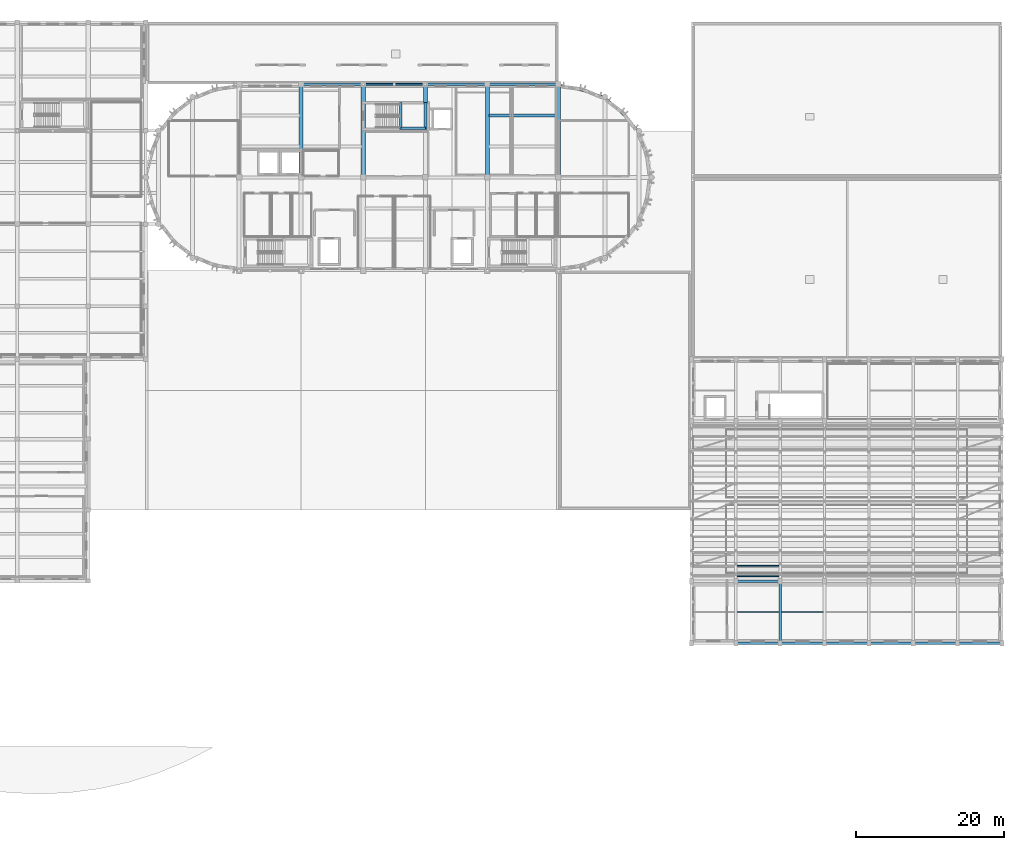
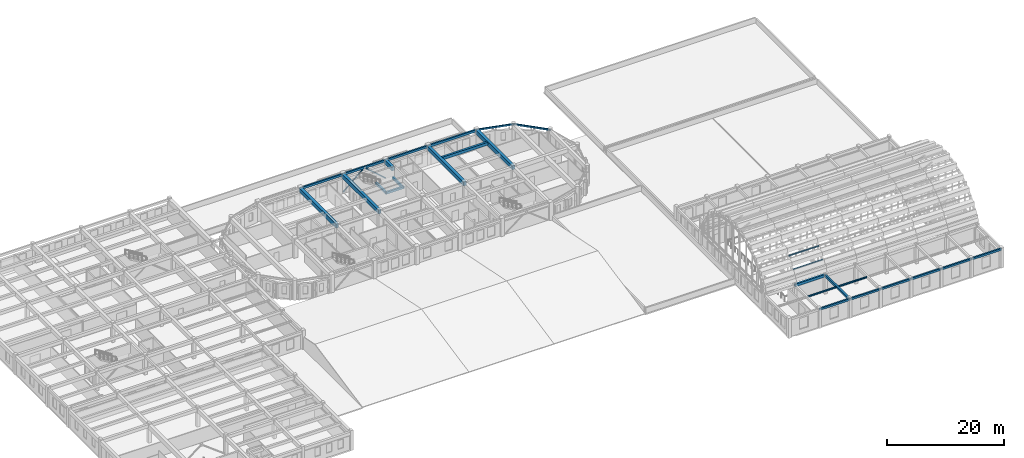
# One storey, part 6 of 46: 25 beams, 4 members.
"""IFC4 building model written with IfcOpenShell, lengths in metres."""

from ifc_helpers import new_model, si_unit, direction, frame, origin, origin_2d, place, context, subcontext, project, spatial, rectangle, hollow_rectangle, i_section, extrude, material, material_profile, profile_set, type_object, element, save


model = new_model("IFC4")

# Units and contexts
model_context = context("Model", 3, precision=1e-05, world=origin(), true_north=direction((0.0, 1.0)))
body_context = subcontext(model_context, "Body", "Model", "MODEL_VIEW")
ifc_project = project(units=[si_unit("LENGTHUNIT", "METRE"), si_unit("AREAUNIT", "SQUARE_METRE"), si_unit("VOLUMEUNIT", "CUBIC_METRE"), si_unit("PLANEANGLEUNIT", "RADIAN"), si_unit("MASSUNIT", "GRAM", prefix="KILO")], contexts=[model_context])

# Site, building, storey
site_placement = place(None, origin())
site = spatial("IfcSite", under=ifc_project, at=site_placement, CompositionType="ELEMENT")
building_placement = place(site_placement, origin())
building = spatial("IfcBuilding", under=site, at=building_placement, Name="Tarnavel Promenade Courthouse", CompositionType="ELEMENT")
storey_placement = place(building_placement, frame((0.0, 0.0, 14.39990234375)))
storey = spatial("IfcBuildingStorey", under=building, at=storey_placement, Name="L04", CompositionType="ELEMENT", Elevation=14.39990234375)

# Beams
ifc_material_1 = material(Name="Concrete C40/50", Category="concrete")
ifc_material_profile_1 = material_profile(ifc_material_1, rectangle(XDim=0.39990234375, YDim=0.60009765625, at=origin_2d()), Name="PT 400x600")
ifc_profile_set_1 = profile_set([ifc_material_profile_1], Name="Concrete C40/50")
beam_type_1 = type_object("IfcBeamType", Name="Concrete C40/50 BM-PT-400x600 (PT 400x600)", PredefinedType="JOIST", material=ifc_profile_set_1)
beam_1_placement = place(storey_placement, frame((92.64501953125, 100.199951171875, 3.655029296875), z_axis=(1.0, 0.0, 0.0), x_axis=(0.0, 1.0, 0.0)))
element("IfcBeam", 1, at=beam_1_placement, inside=storey, type_object=beam_type_1, Name="L04 Secondary Floor Rib 2193", PredefinedType="JOIST", context=body_context, shape_type="SweptSolid", body=[
    extrude(rectangle(XDim=0.39990234375, YDim=0.60009765625, at=origin_2d()), origin(), (0.0, 0.0, 1.0), 9.10986328125),
])
ifc_material_profile_2 = material_profile(ifc_material_1, rectangle(XDim=0.550048828125, YDim=0.85009765625, at=origin_2d()), Name="PT 550x850")
ifc_profile_set_2 = profile_set([ifc_material_profile_2], Name="Concrete C40/50")
beam_type_2 = type_object("IfcBeamType", Name="Concrete C40/50 BM-PT-550x850 (PT 550x850)", PredefinedType="T_BEAM", material=ifc_profile_set_2)
for number, where, z_axis, x_axis, name in (
    (2, (67.199951171875, 91.800048828125, 3.530029296875), (0.0, 1.0, 0.0), (-1.0, 0.0, 0.0), "L04 Transverse Girder 2105"),
    (3, (75.60009765625, 91.800048828125, 3.530029296875), (0.0, 1.0, 0.0), (-1.0, 0.0, 0.0), "L04 Transverse Girder 2107"),
):
    element("IfcBeam", number, at=place(storey_placement, frame(where, z_axis=z_axis, x_axis=x_axis)), inside=storey, type_object=beam_type_2, Name=name, PredefinedType="T_BEAM", context=body_context, shape_type="SweptSolid", body=[
        extrude(rectangle(XDim=0.550048828125, YDim=0.85009765625, at=origin_2d()), origin(), (0.0, 0.0, 1.0), 12.599853515625),
    ])
beam_2_placement = place(storey_placement, frame((84.0, 101.7900390625, 3.530029296875), z_axis=(0.0, 1.0, 0.0), x_axis=(-1.0, 0.0, 0.0)))
element("IfcBeam", 4, at=beam_2_placement, inside=storey, type_object=beam_type_2, Name="L04 Transverse Girder 2110", PredefinedType="T_BEAM", context=body_context, shape_type="SweptSolid", body=[
    extrude(rectangle(XDim=0.550048828125, YDim=0.85009765625, at=origin_2d()), origin(), (0.0, 0.0, 1.0), 2.60986328125),
])
for number, where, z_axis, x_axis, name in (
    (5, (92.39990234375, 91.800048828125, 3.530029296875), (0.0, 1.0, 0.0), (-1.0, 0.0, 0.0), "L04 Transverse Girder 2112"),
    (6, (102.0, 91.800048828125, 3.530029296875), (0.0, 1.0, 0.0), (-1.0, 0.0, 0.0), "L04 Transverse Girder 2114"),
):
    element("IfcBeam", number, at=place(storey_placement, frame(where, z_axis=z_axis, x_axis=x_axis)), inside=storey, type_object=beam_type_2, Name=name, PredefinedType="T_BEAM", context=body_context, shape_type="SweptSolid", body=[
        extrude(rectangle(XDim=0.550048828125, YDim=0.85009765625, at=origin_2d()), origin(), (0.0, 0.0, 1.0), 12.599853515625),
    ])
ifc_material_profile_3 = material_profile(ifc_material_1, rectangle(XDim=0.35009765625, YDim=0.449951171875, at=origin_2d()), Name="RC 350x450")
ifc_profile_set_3 = profile_set([ifc_material_profile_3], Name="Concrete C40/50")
beam_type_3 = type_object("IfcBeamType", Name="Concrete C40/50 BM-RC-350x450 (RC 350x450)", PredefinedType="BEAM", material=ifc_profile_set_3)
beam_3_placement = place(storey_placement, frame((132.0, 28.800048828125, 3.72998046875), z_axis=(0.0, 1.0, 0.0), x_axis=(-1.0, 0.0, 0.0)))
element("IfcBeam", 7, at=beam_3_placement, inside=storey, type_object=beam_type_3, Name="L04 Transverse Girder 2121", PredefinedType="BEAM", context=body_context, shape_type="SweptSolid", body=[
    extrude(rectangle(XDim=0.35009765625, YDim=0.449951171875, at=origin_2d()), origin(), (0.0, 0.0, 1.0), 8.39990234375),
])
for number, where, z_axis, x_axis, name in (
    (8, (80.68994140625, 98.320068359375, 1.670166015625), (0.0, 1.0, 0.0), (-1.0, 0.0, 0.0), "L04 ST-03 Mid-Landing Support Beam Near"),
    (9, (84.02001953125, 98.320068359375, 1.670166015625), (0.0, 1.0, 0.0), (-1.0, 0.0, 0.0), "L04 ST-03 Mid-Landing Support Beam Far"),
):
    element("IfcBeam", number, at=place(storey_placement, frame(where, z_axis=z_axis, x_axis=x_axis)), inside=storey, type_object=beam_type_3, Name=name, PredefinedType="BEAM", context=body_context, shape_type="SweptSolid", body=[
        extrude(rectangle(XDim=0.35009765625, YDim=0.449951171875, at=origin_2d()), origin(), (0.0, 0.0, 1.0), 3.599853515625),
    ])
beam_4_placement = place(storey_placement, frame((80.68994140625, 98.469970703125, 1.670166015625), z_axis=(1.0, 0.0, 0.0), x_axis=(0.0, 1.0, 0.0)))
element("IfcBeam", 10, at=beam_4_placement, inside=storey, type_object=beam_type_3, Name="L04 ST-03 Mid-Landing Edge Trimmer", PredefinedType="BEAM", context=body_context, shape_type="SweptSolid", body=[
    extrude(rectangle(XDim=0.35009765625, YDim=0.449951171875, at=origin_2d()), origin(), (0.0, 0.0, 1.0), 3.330078125),
])
ifc_material_profile_4 = material_profile(ifc_material_1, rectangle(XDim=0.35009765625, YDim=0.550048828125, at=origin_2d()), Name="RC 350x550")
ifc_profile_set_4 = profile_set([ifc_material_profile_4], Name="Concrete C40/50")
beam_type_4 = type_object("IfcBeamType", Name="Concrete C40/50 BM-RC-350x550 (RC 350x550)", PredefinedType="BEAM", material=ifc_profile_set_4)
beam_5_placement = place(storey_placement, frame((126.0, 37.199951171875, 3.68017578125), z_axis=(1.0, 0.0, 0.0), x_axis=(0.0, 1.0, 0.0)))
element("IfcBeam", 11, at=beam_5_placement, inside=storey, type_object=beam_type_4, Name="L04 Primary Longitudinal Beam 1992", PredefinedType="BEAM", context=body_context, shape_type="SweptSolid", body=[
    extrude(rectangle(XDim=0.35009765625, YDim=0.550048828125, at=origin_2d()), origin(), (0.0, 0.0, 1.0), 6.0),
])
ifc_material_profile_5 = material_profile(ifc_material_1, rectangle(XDim=0.300048828125, YDim=0.39990234375, at=origin_2d()), Name="RC 300x400")
ifc_profile_set_5 = profile_set([ifc_material_profile_5], Name="Concrete C40/50")
beam_type_5 = type_object("IfcBeamType", Name="Concrete C40/50 BM-SP-300x400 (RC 300x400)", PredefinedType="SPANDREL", material=ifc_profile_set_5)
for number, where, z_axis, x_axis, name in (
    (12, (126.0, 28.800048828125, 3.755126953125), (1.0, 0.0, 0.0), (0.0, 1.0, 0.0), "L04 Primary Longitudinal Beam 1981"),
    (13, (132.0, 28.800048828125, 3.755126953125), (1.0, 0.0, 0.0), (0.0, 1.0, 0.0), "L04 Primary Longitudinal Beam 1982"),
    (14, (138.0, 28.800048828125, 3.755126953125), (1.0, 0.0, 0.0), (0.0, 1.0, 0.0), "L04 Primary Longitudinal Beam 1983"),
    (15, (144.0, 28.800048828125, 3.755126953125), (1.0, 0.0, 0.0), (0.0, 1.0, 0.0), "L04 Primary Longitudinal Beam 1984"),
    (16, (150.0, 28.800048828125, 3.755126953125), (1.0, 0.0, 0.0), (0.0, 1.0, 0.0), "L04 Primary Longitudinal Beam 1985"),
    (17, (156.0, 28.800048828125, 3.755126953125), (1.0, 0.0, 0.0), (0.0, 1.0, 0.0), "L04 Primary Longitudinal Beam 1986"),
):
    element("IfcBeam", number, at=place(storey_placement, frame(where, z_axis=z_axis, x_axis=x_axis)), inside=storey, type_object=beam_type_5, Name=name, PredefinedType="SPANDREL", context=body_context, shape_type="SweptSolid", body=[
        extrude(rectangle(XDim=0.300048828125, YDim=0.39990234375, at=origin_2d()), origin(), (0.0, 0.0, 1.0), 6.0),
    ])
ifc_material_profile_6 = material_profile(ifc_material_1, rectangle(XDim=0.300048828125, YDim=0.449951171875, at=origin_2d()), Name="RC 300x450")
ifc_profile_set_6 = profile_set([ifc_material_profile_6], Name="Concrete C40/50")
beam_type_6 = type_object("IfcBeamType", Name="Concrete C40/50 BM-SP-300x450 (RC 300x450)", PredefinedType="SPANDREL", material=ifc_profile_set_6)
beam_6_placement = place(storey_placement, frame((67.199951171875, 104.39990234375, 3.72998046875), z_axis=(1.0, 0.0, 0.0), x_axis=(0.0, 1.0, 0.0)))
element("IfcBeam", 18, at=beam_6_placement, inside=storey, type_object=beam_type_6, Name="L04 Primary Longitudinal Beam 2052", PredefinedType="SPANDREL", context=body_context, shape_type="SweptSolid", body=[
    extrude(rectangle(XDim=0.300048828125, YDim=0.449951171875, at=origin_2d()), origin(), (0.0, 0.0, 1.0), 8.400146484375),
])
for number, where, z_axis, x_axis, name in (
    (19, (75.60009765625, 104.39990234375, 3.72998046875), (1.0, 0.0, 0.0), (0.0, 1.0, 0.0), "L04 Primary Longitudinal Beam 2053"),
    (20, (84.0, 104.39990234375, 3.72998046875), (1.0, 0.0, 0.0), (0.0, 1.0, 0.0), "L04 Primary Longitudinal Beam 2054"),
):
    element("IfcBeam", number, at=place(storey_placement, frame(where, z_axis=z_axis, x_axis=x_axis)), inside=storey, type_object=beam_type_6, Name=name, PredefinedType="SPANDREL", context=body_context, shape_type="SweptSolid", body=[
        extrude(rectangle(XDim=0.300048828125, YDim=0.449951171875, at=origin_2d()), origin(), (0.0, 0.0, 1.0), 8.39990234375),
    ])
ifc_material_profile_7 = material_profile(ifc_material_1, rectangle(XDim=0.300048828125, YDim=0.5, at=origin_2d()), Name="RC 300x500")
ifc_profile_set_7 = profile_set([ifc_material_profile_7], Name="Concrete C40/50")
beam_type_7 = type_object("IfcBeamType", Name="Concrete C40/50 BM-SP-300x500 (RC 300x500)", PredefinedType="SPANDREL", material=ifc_profile_set_7)
beam_7_placement = place(storey_placement, frame((92.39990234375, 104.39990234375, 3.705078125), z_axis=(1.0, 0.0, 0.0), x_axis=(0.0, 1.0, 0.0)))
element("IfcBeam", 21, at=beam_7_placement, inside=storey, type_object=beam_type_7, Name="L04 Primary Longitudinal Beam 2055", PredefinedType="SPANDREL", context=body_context, shape_type="SweptSolid", body=[
    extrude(rectangle(XDim=0.300048828125, YDim=0.5, at=origin_2d()), origin(), (0.0, 0.0, 1.0), 9.60009765625),
])
ifc_material_2 = material(Name="Steel S355J2", Category="steel")
ifc_material_profile_8 = material_profile(ifc_material_2, i_section(OverallWidth=0.159912109375, OverallDepth=0.330078125, WebThickness=0.007568359375, FlangeThickness=0.011474609375, FilletRadius=0.01806640625, at=origin_2d()), Name="IPE 330")
ifc_profile_set_8 = profile_set([ifc_material_profile_8], Name="Steel S355J2")
beam_type_8 = type_object("IfcBeamType", Name="Steel S355J2 BM-ST-IPE330 (IPE 330)", PredefinedType="JOIST", material=ifc_profile_set_8)
for number, where, z_axis, x_axis, name in (
    (22, (126.14501953125, 33.0, 3.7900390625), (1.0, 0.0, 0.0), (0.0, 1.0, 0.0), "L04 Secondary Floor Rib 2195"),
    (23, (132.14501953125, 33.0, 3.7900390625), (1.0, 0.0, 0.0), (0.0, 1.0, 0.0), "L04 Secondary Floor Rib 2196"),
):
    element("IfcBeam", number, at=place(storey_placement, frame(where, z_axis=z_axis, x_axis=x_axis)), inside=storey, type_object=beam_type_8, Name=name, PredefinedType="JOIST", context=body_context, shape_type="SweptSolid", body=[
        extrude(i_section(OverallWidth=0.159912109375, OverallDepth=0.330078125, WebThickness=0.007568359375, FlangeThickness=0.011474609375, FilletRadius=0.01806640625, at=origin_2d()), origin(), (0.0, 0.0, 1.0), 5.7099609375),
    ])
ifc_material_profile_9 = material_profile(ifc_material_2, hollow_rectangle(XDim=0.199951171875, YDim=0.35009765625, WallThickness=0.012451171875, InnerFilletRadius=0.012451171875, OuterFilletRadius=0.02490234375, at=origin_2d()), Name="RHS 350x200x12.5")
ifc_profile_set_9 = profile_set([ifc_material_profile_9], Name="Steel S355J2")
beam_type_9 = type_object("IfcBeamType", Name="Steel S355J2 BM-ST-RHS350 (RHS 350x200x12.5)", PredefinedType="SPANDREL", material=ifc_profile_set_9)
beam_8_placement = place(storey_placement, frame((112.911865234375, 98.10009765625, 3.780029296875), z_axis=(-0.707106781187, 0.707106781187, 0.0), x_axis=(-0.707106781187, -0.707106781187, 0.0)))
element("IfcBeam", 24, at=beam_8_placement, inside=storey, type_object=beam_type_9, Name="L04 Drum Ring Spandrel 2215", PredefinedType="SPANDREL", context=body_context, shape_type="SweptSolid", body=[
    extrude(hollow_rectangle(XDim=0.199951171875, YDim=0.35009765625, WallThickness=0.012451171875, InnerFilletRadius=0.012451171875, OuterFilletRadius=0.02490234375, at=origin_2d()), origin(), (0.0, 0.0, 1.0), 6.52197265625),
])
beam_9_placement = place(storey_placement, frame((108.300048828125, 102.7119140625, 3.780029296875), z_axis=(-0.965929839907, 0.258804065612, 0.0), x_axis=(-0.258804065612, -0.965929839907, 0.0)))
element("IfcBeam", 25, at=beam_9_placement, inside=storey, type_object=beam_type_9, Name="L04 Drum Ring Spandrel 2216", PredefinedType="SPANDREL", context=body_context, shape_type="SweptSolid", body=[
    extrude(hollow_rectangle(XDim=0.199951171875, YDim=0.35009765625, WallThickness=0.012451171875, InnerFilletRadius=0.012451171875, OuterFilletRadius=0.02490234375, at=origin_2d()), origin(), (0.0, 0.0, 1.0), 6.522216796875),
])

# Members
ifc_material_profile_10 = material_profile(ifc_material_2, hollow_rectangle(XDim=0.199951171875, YDim=0.199951171875, WallThickness=0.012451171875, InnerFilletRadius=0.012451171875, OuterFilletRadius=0.02490234375, at=origin_2d()), Name="SHS 200x200x12.5")
ifc_profile_set_10 = profile_set([ifc_material_profile_10], Name="Steel S355J2")
member_type_1 = type_object("IfcMemberType", Name="Steel S355J2 MEM-BR-SHS200 (SHS 200x200x12.5)", PredefinedType="BRACE", material=ifc_profile_set_10)
for number, where, z_axis, x_axis, name in (
    (26, (75.60009765625, 104.39990234375, 0.0), (0.749905274185, 0.0, 0.661545221243), (0.0, 1.0, 0.0), "L04 V5 Chevron Brace A 022"),
    (27, (84.0, 104.39990234375, 0.0), (-0.749905274185, 0.0, 0.661545221243), (0.0, -1.0, 0.0), "L04 V5 Chevron Brace B 022"),
):
    element("IfcMember", number, at=place(storey_placement, frame(where, z_axis=z_axis, x_axis=x_axis)), inside=storey, type_object=member_type_1, Name=name, PredefinedType="BRACE", context=body_context, shape_type="SweptSolid", body=[
        extrude(hollow_rectangle(XDim=0.199951171875, YDim=0.199951171875, WallThickness=0.012451171875, InnerFilletRadius=0.012451171875, OuterFilletRadius=0.02490234375, at=origin_2d()), origin(), (0.0, 0.0, 1.0), 5.6005859375),
    ])
ifc_material_profile_11 = material_profile(ifc_material_2, i_section(OverallWidth=0.135009765625, OverallDepth=0.27001953125, WebThickness=0.006591796875, FlangeThickness=0.01025390625, FilletRadius=0.014892578125, at=origin_2d()), Name="IPE 270")
ifc_profile_set_11 = profile_set([ifc_material_profile_11], Name="Steel S355J2")
member_type_2 = type_object("IfcMemberType", Name="Steel S355J2 MEM-PUR-IPE270 (IPE 270)", PredefinedType="PURLIN", material=ifc_profile_set_11)
for number, where, z_axis, x_axis, name in (
    (28, (126.0, 37.844482421875, 6.554443359375), (1.0, 0.0, 0.0), (0.0, 1.0, 0.0), "V1 Barrel Vault Purlin 02-01"),
    (29, (126.0, 39.284912109375, 8.53857421875), (1.0, 0.0, 0.0), (0.0, 1.0, 0.0), "V1 Barrel Vault Purlin 02-02"),
):
    element("IfcMember", number, at=place(storey_placement, frame(where, z_axis=z_axis, x_axis=x_axis)), inside=storey, type_object=member_type_2, Name=name, PredefinedType="PURLIN", context=body_context, shape_type="SweptSolid", body=[
        extrude(i_section(OverallWidth=0.135009765625, OverallDepth=0.27001953125, WebThickness=0.006591796875, FlangeThickness=0.01025390625, FilletRadius=0.014892578125, at=origin_2d()), origin(), (0.0, 0.0, 1.0), 6.0),
    ])

save(model, "model.ifc")
